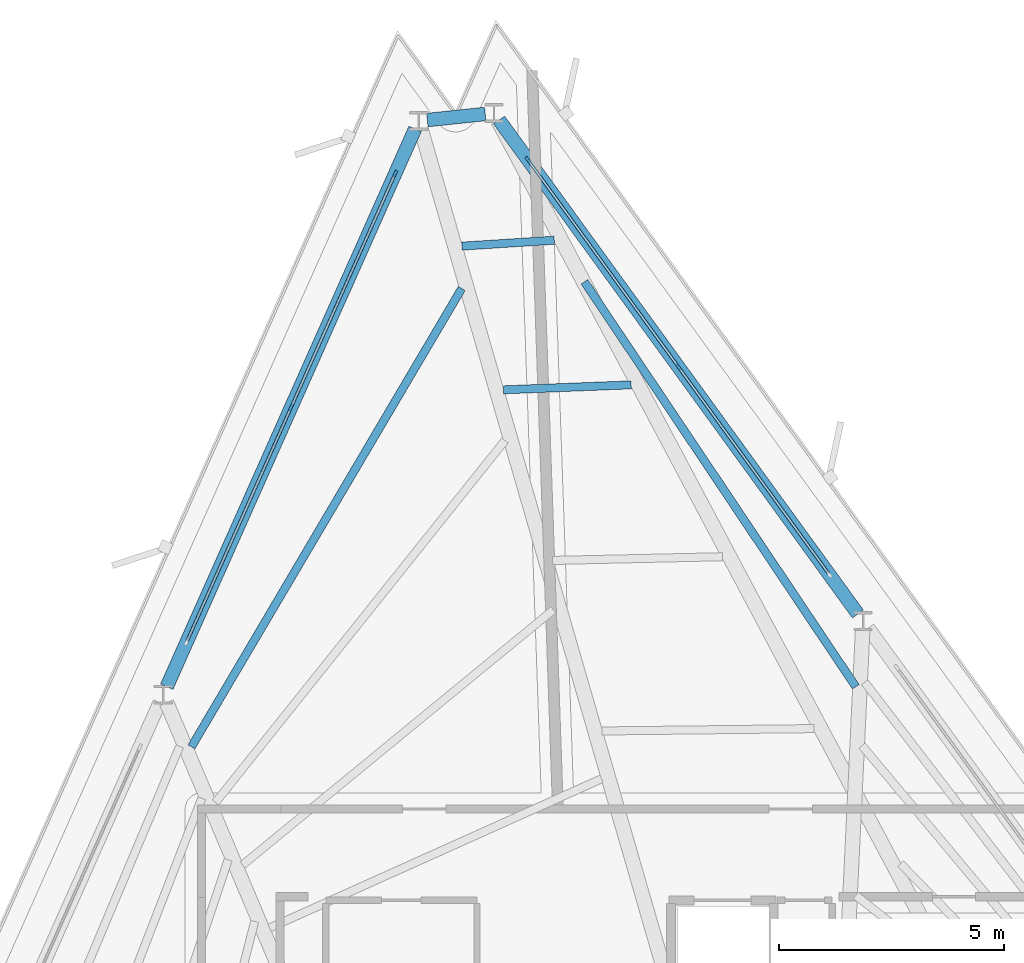
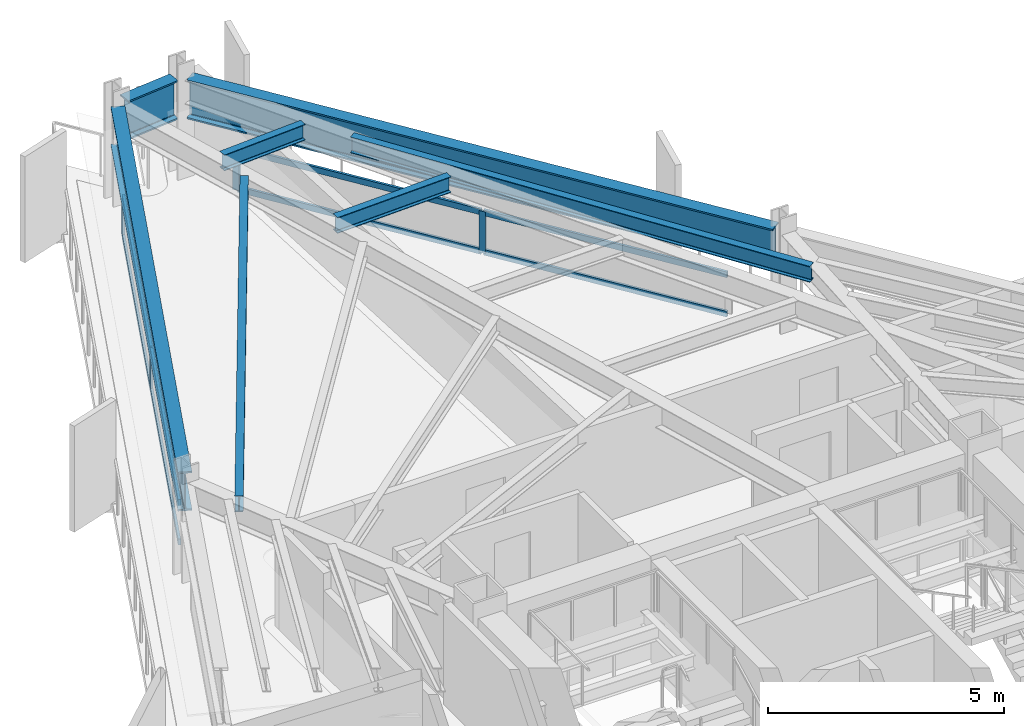
# One storey, part 6 of 13: 12 members, 7 beams, 2 elements without a shape of their own.
"""IFC4 building model written with IfcOpenShell, lengths in metres."""

from ifc_helpers import new_model, si_unit, direction, frame, origin, origin_2d, place, context, subcontext, project, spatial, rectangle, i_section, extrude, material, layer, layer_set, material_profile, profile_set, type_object, element, aggregate, save


model = new_model("IFC4")

# Units and contexts
model_context = context("Model", 3, precision=1e-05, world=origin(), true_north=direction((0.0, 1.0)))
body_context = subcontext(model_context, "Body", "Model", "MODEL_VIEW")
ifc_project = project(units=[si_unit("LENGTHUNIT", "METRE"), si_unit("AREAUNIT", "SQUARE_METRE"), si_unit("VOLUMEUNIT", "CUBIC_METRE"), si_unit("PLANEANGLEUNIT", "RADIAN"), si_unit("MASSUNIT", "GRAM", prefix="KILO")], contexts=[model_context])

# Site, building, storey
site_placement = place(None, origin())
site = spatial("IfcSite", under=ifc_project, at=site_placement, CompositionType="ELEMENT")
building_placement = place(site_placement, origin())
building = spatial("IfcBuilding", under=site, at=building_placement, Name="Rocaltana Carrier Exchange", CompositionType="ELEMENT")
storey_placement = place(building_placement, frame((0.0, 0.0, 122.8798828125)))
storey = spatial("IfcBuildingStorey", under=building, at=storey_placement, Name="L38", CompositionType="ELEMENT", Elevation=122.8798828125)

# Curtain wall, members
ifc_material_1 = material(Name="Aluminium 6063-T6", Category="aluminium")
ifc_layer = layer(ifc_material_1, 0.14990234375)
ifc_layer_set = layer_set([ifc_layer], Name="Aluminium 6063-T6")
curtain_wall_type = type_object("IfcCurtainWallType", Name="Mid-Tower Unitised Curtain Wall CW-03", PredefinedType="NOTDEFINED", material=ifc_layer_set)
curtain_wall_1_placement = place(storey_placement, origin())
curtain_wall_1 = element("IfcCurtainWall", 1, at=curtain_wall_1_placement, inside=storey, type_object=curtain_wall_type, Name="L38 CW-03 Run CW-L38-F1S3", PredefinedType="NOTDEFINED")
ifc_material_2 = material(Name="Aluminium 6063-T6", Category="aluminium")
ifc_material_profile_1 = material_profile(ifc_material_2, rectangle(XDim=0.06005859375, YDim=0.14990234375, at=origin_2d()), Name="AL-60X150")
ifc_profile_set_1 = profile_set([ifc_material_profile_1], Name="Aluminium 6063-T6")
member_type_1 = type_object("IfcMemberType", Name="CW-03 Mullion AL-60X150", PredefinedType="MULLION", material=ifc_profile_set_1)
member_1_placement = place(storey_placement, frame((2.363037109375, 18.980712890625, 0.0), z_axis=(0.0, 0.0, 1.0), x_axis=(-0.809013555195, -0.587789985889, 0.0)))
member_1 = element("IfcMember", 2, at=member_1_placement, type_object=member_type_1, Name="CW-03 mullion 2", PredefinedType="MULLION", context=body_context, shape_type="SweptSolid", body=[
    extrude(rectangle(XDim=0.06005859375, YDim=0.14990234375, at=origin_2d()), origin(), (0.0, 0.0, 1.0), 1.078125),
])
member_2_placement = place(storey_placement, frame((-0.9892578125, 23.5947265625, 0.0), z_axis=(0.0, 0.0, 1.0), x_axis=(-0.809013555195, -0.587789985889, 0.0)))
member_2 = element("IfcMember", 3, at=member_2_placement, type_object=member_type_1, Name="CW-03 mullion 3", PredefinedType="MULLION", context=body_context, shape_type="SweptSolid", body=[
    extrude(rectangle(XDim=0.06005859375, YDim=0.14990234375, at=origin_2d()), origin(), (0.0, 0.0, 1.0), 1.078125),
])

curtain_wall_2_placement = place(storey_placement, origin())
curtain_wall_2 = element("IfcCurtainWall", 4, at=curtain_wall_2_placement, inside=storey, type_object=curtain_wall_type, Name="L38 CW-03 Run CW-L38-F2S1", PredefinedType="NOTDEFINED")
member_3_placement = place(storey_placement, frame((-3.93798828125, 23.284912109375, 0.0), z_axis=(0.0, 0.0, 1.0), x_axis=(0.913543791084, -0.406740386206, 0.0)))
member_3 = element("IfcMember", 5, at=member_3_placement, type_object=member_type_1, Name="CW-03 mullion 1", PredefinedType="MULLION", context=body_context, shape_type="SweptSolid", body=[
    extrude(rectangle(XDim=0.06005859375, YDim=0.14990234375, at=origin_2d()), origin(), (0.0, 0.0, 1.0), 1.078125),
])
member_4_placement = place(storey_placement, frame((-6.2578125, 18.074462890625, 0.0), z_axis=(0.0, 0.0, 1.0), x_axis=(0.913543791084, -0.406740386206, 0.0)))
member_4 = element("IfcMember", 6, at=member_4_placement, type_object=member_type_1, Name="CW-03 mullion 2", PredefinedType="MULLION", context=body_context, shape_type="SweptSolid", body=[
    extrude(rectangle(XDim=0.06005859375, YDim=0.14990234375, at=origin_2d()), origin(), (0.0, 0.0, 1.0), 1.078125),
])

# Member
ifc_material_3 = material(Name="Aluminium 6063-T6", Category="aluminium")
ifc_material_profile_2 = material_profile(ifc_material_3, rectangle(XDim=0.06005859375, YDim=0.14990234375, at=origin_2d()), Name="AL-60X150")
ifc_profile_set_2 = profile_set([ifc_material_profile_2], Name="Aluminium 6063-T6")
member_type_2 = type_object("IfcMemberType", Name="CW-03 Transom AL-60X150", PredefinedType="USERDEFINED", material=ifc_profile_set_2)
member_5_placement = place(storey_placement, frame((5.69775390625, 14.390869140625, 0.030029296875), z_axis=(-0.587803791035, 0.809003524866, 0.0), x_axis=(-0.809003524866, -0.587803791035, 0.0)))
member_5 = element("IfcMember", 7, at=member_5_placement, type_object=member_type_2, Name="CW-03 transom 1.1", ObjectType="TRANSOM", PredefinedType="USERDEFINED", context=body_context, shape_type="SweptSolid", body=[
    extrude(rectangle(XDim=0.06005859375, YDim=0.14990234375, at=origin_2d()), origin(), (0.0, 0.0, 1.0), 5.643310546875),
])

member_6_placement = place(storey_placement, frame((5.69775390625, 14.390869140625, 1.048095703125), z_axis=(-0.587803791035, 0.809003524866, 0.0), x_axis=(-0.809003524866, -0.587803791035, 0.0)))
member_6 = element("IfcMember", 8, at=member_6_placement, type_object=member_type_2, Name="CW-03 transom 1.2", ObjectType="TRANSOM", PredefinedType="USERDEFINED", context=body_context, shape_type="SweptSolid", body=[
    extrude(rectangle(XDim=0.06005859375, YDim=0.14990234375, at=origin_2d()), origin(), (0.0, 0.0, 1.0), 5.643310546875),
])

member_7_placement = place(storey_placement, frame((2.345458984375, 19.0048828125, 0.030029296875), z_axis=(-0.58778321885, 0.809018471753, 0.0), x_axis=(-0.809018471753, -0.58778321885, 0.0)))
member_7 = element("IfcMember", 9, at=member_7_placement, type_object=member_type_2, Name="CW-03 transom 2.1", ObjectType="TRANSOM", PredefinedType="USERDEFINED", context=body_context, shape_type="SweptSolid", body=[
    extrude(rectangle(XDim=0.06005859375, YDim=0.14990234375, at=origin_2d()), origin(), (0.0, 0.0, 1.0), 5.6435546875),
])

member_8_placement = place(storey_placement, frame((2.345458984375, 19.0048828125, 1.048095703125), z_axis=(-0.58778321885, 0.809018471753, 0.0), x_axis=(-0.809018471753, -0.58778321885, 0.0)))
member_8 = element("IfcMember", 10, at=member_8_placement, type_object=member_type_2, Name="CW-03 transom 2.2", ObjectType="TRANSOM", PredefinedType="USERDEFINED", context=body_context, shape_type="SweptSolid", body=[
    extrude(rectangle(XDim=0.06005859375, YDim=0.14990234375, at=origin_2d()), origin(), (0.0, 0.0, 1.0), 5.6435546875),
])

aggregate(curtain_wall_1, [member_1, member_2, member_5, member_6, member_7, member_8])

member_9_placement = place(storey_placement, frame((-3.9501953125, 23.25732421875, 0.030029296875), z_axis=(-0.406740464784, -0.913543756099, 0.0), x_axis=(0.913543756099, -0.406740464784, 0.0)))
member_9 = element("IfcMember", 11, at=member_9_placement, type_object=member_type_2, Name="CW-03 transom 1.1", ObjectType="TRANSOM", PredefinedType="USERDEFINED", context=body_context, shape_type="SweptSolid", body=[
    extrude(rectangle(XDim=0.06005859375, YDim=0.14990234375, at=origin_2d()), origin(), (0.0, 0.0, 1.0), 5.643310546875),
])

member_10_placement = place(storey_placement, frame((-3.9501953125, 23.25732421875, 1.048095703125), z_axis=(-0.406740464784, -0.913543756099, 0.0), x_axis=(0.913543756099, -0.406740464784, 0.0)))
member_10 = element("IfcMember", 12, at=member_10_placement, type_object=member_type_2, Name="CW-03 transom 1.2", ObjectType="TRANSOM", PredefinedType="USERDEFINED", context=body_context, shape_type="SweptSolid", body=[
    extrude(rectangle(XDim=0.06005859375, YDim=0.14990234375, at=origin_2d()), origin(), (0.0, 0.0, 1.0), 5.643310546875),
])

member_11_placement = place(storey_placement, frame((-6.27001953125, 18.047119140625, 0.030029296875), z_axis=(-0.406704359788, -0.913559830405, 0.0), x_axis=(0.913559830405, -0.406704359788, 0.0)))
member_11 = element("IfcMember", 13, at=member_11_placement, type_object=member_type_2, Name="CW-03 transom 2.1", ObjectType="TRANSOM", PredefinedType="USERDEFINED", context=body_context, shape_type="SweptSolid", body=[
    extrude(rectangle(XDim=0.06005859375, YDim=0.14990234375, at=origin_2d()), origin(), (0.0, 0.0, 1.0), 5.643310546875),
])

member_12_placement = place(storey_placement, frame((-6.27001953125, 18.047119140625, 1.048095703125), z_axis=(-0.406704359788, -0.913559830405, 0.0), x_axis=(0.913559830405, -0.406704359788, 0.0)))
member_12 = element("IfcMember", 14, at=member_12_placement, type_object=member_type_2, Name="CW-03 transom 2.2", ObjectType="TRANSOM", PredefinedType="USERDEFINED", context=body_context, shape_type="SweptSolid", body=[
    extrude(rectangle(XDim=0.06005859375, YDim=0.14990234375, at=origin_2d()), origin(), (0.0, 0.0, 1.0), 5.643310546875),
])

aggregate(curtain_wall_2, [member_3, member_4, member_9, member_10, member_11, member_12])

# Beams
ifc_material_4 = material(Name="Steel S355", Category="steel")
ifc_material_profile_3 = material_profile(ifc_material_4, i_section(OverallWidth=0.179931640625, OverallDepth=0.4130859375, WebThickness=0.009765625, FlangeThickness=0.01611328125, FilletRadius=0.012939453125, at=origin_2d()), Name="W16X50")
ifc_profile_set_3 = profile_set([ifc_material_profile_3], Name="Steel S355")
beam_type_1 = type_object("IfcBeamType", Name="Floor Joist W16X50", PredefinedType="JOIST", material=ifc_profile_set_3)
beam_1_placement = place(storey_placement, frame((6.3056640625, 11.87109375, 2.41162109375), z_axis=(-0.556730424086, 0.830693225503, 0.0), x_axis=(-0.830693225503, -0.556730424086, 0.0)))
element("IfcBeam", 15, at=beam_1_placement, inside=storey, type_object=beam_type_1, Name="FJ-L38-03-4", PredefinedType="JOIST", context=body_context, shape_type="SweptSolid", body=[
    extrude(i_section(OverallWidth=0.179931640625, OverallDepth=0.4130859375, WebThickness=0.009765625, FlangeThickness=0.01611328125, FilletRadius=0.012939453125, at=origin_2d()), origin(), (0.0, 0.0, 1.0), 10.841552734375),
])
beam_2_placement = place(storey_placement, frame((1.31005859375, 18.585205078125, 2.41162109375), z_axis=(-0.999236623871, -0.039066219613, 0.0), x_axis=(0.039066219613, -0.999236623871, 0.0)))
element("IfcBeam", 16, at=beam_2_placement, inside=storey, type_object=beam_type_1, Name="FJ-L38-04-3", PredefinedType="JOIST", context=body_context, shape_type="SweptSolid", body=[
    extrude(i_section(OverallWidth=0.179931640625, OverallDepth=0.4130859375, WebThickness=0.009765625, FlangeThickness=0.01611328125, FilletRadius=0.012939453125, at=origin_2d()), origin(), (0.0, 0.0, 1.0), 2.843505859375),
])
beam_3_placement = place(storey_placement, frame((-0.400390625, 21.802001953125, 2.41162109375), z_axis=(-0.99795348831, -0.063944000261, 0.0), x_axis=(0.063944000261, -0.99795348831, 0.0)))
element("IfcBeam", 17, at=beam_3_placement, inside=storey, type_object=beam_type_1, Name="FJ-L38-04-4", PredefinedType="JOIST", context=body_context, shape_type="SweptSolid", body=[
    extrude(i_section(OverallWidth=0.179931640625, OverallDepth=0.4130859375, WebThickness=0.009765625, FlangeThickness=0.01611328125, FilletRadius=0.012939453125, at=origin_2d()), origin(), (0.0, 0.0, 1.0), 2.057861328125),
])
beam_4_placement = place(storey_placement, frame((-2.45849609375, 20.72802734375, 2.41162109375), z_axis=(-0.507982665152, -0.861367292103, 0.0), x_axis=(0.861367292103, -0.507982665152, 0.0)))
element("IfcBeam", 18, at=beam_4_placement, inside=storey, type_object=beam_type_1, Name="FJ-L38-05-4", PredefinedType="JOIST", context=body_context, shape_type="SweptSolid", body=[
    extrude(i_section(OverallWidth=0.179931640625, OverallDepth=0.4130859375, WebThickness=0.009765625, FlangeThickness=0.01611328125, FilletRadius=0.012939453125, at=origin_2d()), origin(), (0.0, 0.0, 1.0), 11.83447265625),
])
ifc_material_5 = material(Name="Steel S460", Category="steel")
ifc_material_profile_4 = material_profile(ifc_material_5, i_section(OverallWidth=0.302001953125, OverallDepth=1.008056640625, WebThickness=0.02099609375, FlangeThickness=0.0400390625, FilletRadius=0.030029296875, at=origin_2d()), Name="HEM1000")
ifc_profile_set_4 = profile_set([ifc_material_profile_4], Name="Steel S460")
beam_type_2 = type_object("IfcBeamType", Name="Transfer Ring Girder HEM1000", PredefinedType="USERDEFINED", material=ifc_profile_set_4)
beam_5_placement = place(storey_placement, frame((6.353271484375, 13.48876953125, 2.114013671875), z_axis=(-0.587792057578, 0.809012050002, 0.0), x_axis=(-0.809012050002, -0.587792057578, 0.0)))
element("IfcBeam", 19, at=beam_5_placement, inside=storey, type_object=beam_type_2, Name="SP-L38-03", ObjectType="TRANSFER GIRDER", PredefinedType="USERDEFINED", context=body_context, shape_type="SweptSolid", body=[
    extrude(i_section(OverallWidth=0.302001953125, OverallDepth=1.008056640625, WebThickness=0.02099609375, FlangeThickness=0.0400390625, FilletRadius=0.030029296875, at=origin_2d()), origin(), (0.0, 0.0, 1.0), 13.57666015625),
])
beam_6_placement = place(storey_placement, frame((-1.935546875, 24.60986328125, 2.114013671875), z_axis=(-0.994530218874, -0.104449240049, 0.0), x_axis=(0.104449240049, -0.994530218874, 0.0)))
element("IfcBeam", 20, at=beam_6_placement, inside=storey, type_object=beam_type_2, Name="SP-L38-04", ObjectType="TRANSFER GIRDER", PredefinedType="USERDEFINED", context=body_context, shape_type="SweptSolid", body=[
    extrude(i_section(OverallWidth=0.302001953125, OverallDepth=1.008056640625, WebThickness=0.02099609375, FlangeThickness=0.0400390625, FilletRadius=0.030029296875, at=origin_2d()), origin(), (0.0, 0.0, 1.0), 1.294921875),
])
beam_7_placement = place(storey_placement, frame((-3.49658203125, 24.27587890625, 2.114013671875), z_axis=(-0.406744031685, -0.913542167986, 0.0), x_axis=(0.913542167986, -0.406744031685, 0.0)))
element("IfcBeam", 21, at=beam_7_placement, inside=storey, type_object=beam_type_2, Name="SP-L38-05", ObjectType="TRANSFER GIRDER", PredefinedType="USERDEFINED", context=body_context, shape_type="SweptSolid", body=[
    extrude(i_section(OverallWidth=0.302001953125, OverallDepth=1.008056640625, WebThickness=0.02099609375, FlangeThickness=0.0400390625, FilletRadius=0.030029296875, at=origin_2d()), origin(), (0.0, 0.0, 1.0), 13.57666015625),
])

save(model, "model.ifc")
